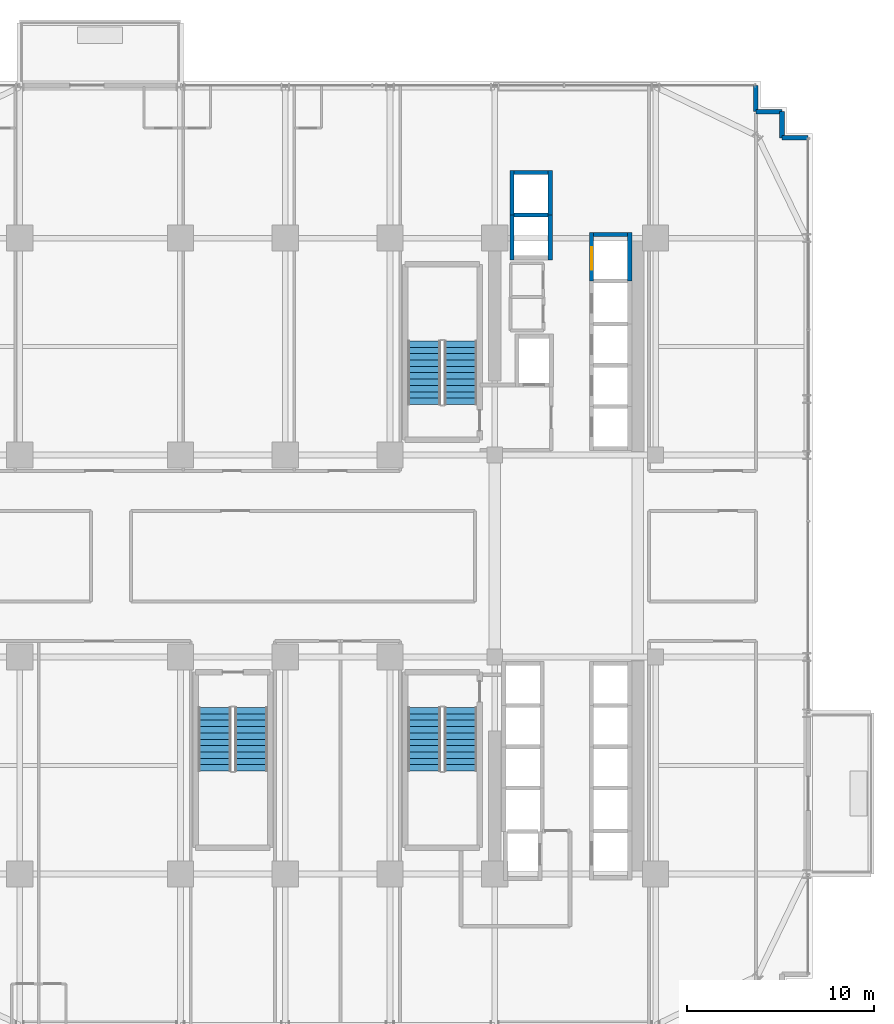
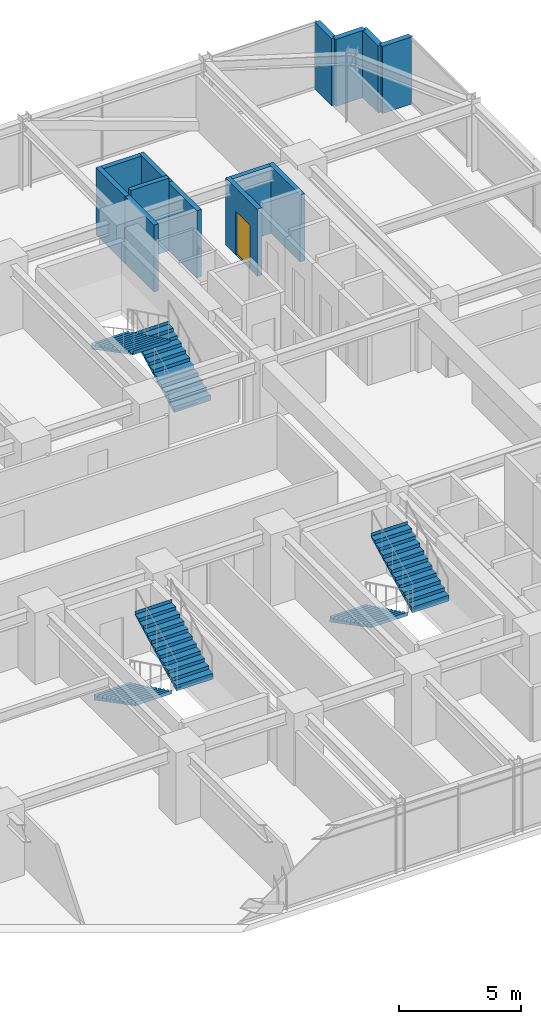
# One storey, part 32 of 35: 13 walls, 6 stair flights, 1 door, 1 opening, 3 elements without a shape of their own.
"""IFC4 building model written with IfcOpenShell, lengths in metres."""

from ifc_helpers import new_model, si_unit, direction, frame, frame_2d, origin, place, context, subcontext, project, spatial, polyline, rectangle, outline, extrude, source, transform, mapped, material, layer, layer_set, type_object, element, fill, aggregate, save


model = new_model("IFC4")

# Units and contexts
model_context = context("Model", 3, precision=1e-05, world=origin(), true_north=direction((0.0, 1.0)))
body_context = subcontext(model_context, "Body", "Model", "MODEL_VIEW")
ifc_project = project(units=[si_unit("LENGTHUNIT", "METRE"), si_unit("AREAUNIT", "SQUARE_METRE"), si_unit("VOLUMEUNIT", "CUBIC_METRE"), si_unit("PLANEANGLEUNIT", "RADIAN"), si_unit("MASSUNIT", "GRAM", prefix="KILO")], contexts=[model_context])

# Site, building, storey
site_placement = place(None, origin())
site = spatial("IfcSite", under=ifc_project, at=site_placement, CompositionType="ELEMENT")
building_placement = place(site_placement, origin())
building = spatial("IfcBuilding", under=site, at=building_placement, Name="Nahalor Promenade Grand Hotel", CompositionType="ELEMENT")
storey_placement = place(building_placement, frame((0.0, 0.0, 39.699951171875)))
storey = spatial("IfcBuildingStorey", under=building, at=storey_placement, Name="L08", CompositionType="ELEMENT", Elevation=39.699951171875)

# Walls
ifc_material_1 = material(Name="Concrete B-50 (C40/50)", Category="concrete")
ifc_layer_1 = layer(ifc_material_1, 0.219970703125)
ifc_layer_set_1 = layer_set([ifc_layer_1], Name="Concrete B-50 (C40/50)")
wall_type_1 = type_object("IfcWallType", Name="Wall-LiftShaft-220", PredefinedType="SHEAR", material=ifc_layer_set_1)
shared_shape_1 = source(origin(), body_context, "Body", "SweptSolid", [
    extrude(rectangle(XDim=1.820068359375, YDim=0.219970703125, at=frame_2d((0.91015625, 0.0))), origin(), (0.0, 0.0, 1.0), 3.3701171875),
])
for number, where, z_axis, x_axis, name in (
    (1, (9.43994140625, 20.5, 0.0), (0.0, 0.0, 1.0), (1.0, 0.0, 0.0), "L08 Lift OB2 Hoistway Wall N"),
    (2, (13.68994140625, 17.199951171875, 0.0), (0.0, 0.0, 1.0), (1.0, 0.0, 0.0), "L08 Lift SV1 Hoistway Wall N"),
):
    element("IfcWall", number, at=place(storey_placement, frame(where, z_axis=z_axis, x_axis=x_axis)), inside=storey, type_object=wall_type_1, Name=name, PredefinedType="SHEAR", context=body_context, shape_type="MappedRepresentation", body=[
        mapped(shared_shape_1, transform((0.0, 0.0, 0.0), scale=1.0)),
    ])
shared_shape_2 = source(origin(), body_context, "Body", "SweptSolid", [
    extrude(rectangle(XDim=1.820068359375, YDim=0.219970703125, at=frame_2d((0.91015625, 0.0))), origin(), (0.0, 0.0, 1.0), 3.650146484375),
])
wall_1_placement = place(storey_placement, frame((9.43994140625, 18.22509765625, 0.0), z_axis=(0.0, 0.0, 1.0), x_axis=(1.0, 0.0, 0.0)))
element("IfcWall", 3, at=wall_1_placement, inside=storey, type_object=wall_type_1, Name="L08 Lift OB1 Hoistway Wall N", PredefinedType="SHEAR", context=body_context, shape_type="MappedRepresentation", body=[
    mapped(shared_shape_2, transform((0.0, 0.0, 0.0), scale=1.0)),
])
shared_shape_3 = source(origin(), body_context, "Body", "SweptSolid", [
    extrude(rectangle(XDim=2.385009765625, YDim=0.219970703125, at=frame_2d((1.1923828125, 0.0))), origin(), (0.0, 0.0, 1.0), 3.3701171875),
])
for number, where, z_axis, x_axis, name in (
    (4, (9.330078125, 15.840087890625, 0.0), (0.0, 0.0, 1.0), (0.0, 1.0, 0.0), "L08 Lift OB1 Hoistway Wall W"),
    (5, (11.3701171875, 15.840087890625, 0.0), (0.0, 0.0, 1.0), (0.0, 1.0, 0.0), "L08 Lift OB1 Hoistway Wall E"),
    (6, (9.330078125, 18.22509765625, 0.0), (0.0, 0.0, 1.0), (0.0, 1.0, 0.0), "L08 Lift OB2 Hoistway Wall W"),
    (7, (11.3701171875, 18.22509765625, 0.0), (0.0, 0.0, 1.0), (0.0, 1.0, 0.0), "L08 Lift OB2 Hoistway Wall E"),
):
    element("IfcWall", number, at=place(storey_placement, frame(where, z_axis=z_axis, x_axis=x_axis)), inside=storey, type_object=wall_type_1, Name=name, PredefinedType="SHEAR", context=body_context, shape_type="MappedRepresentation", body=[
        mapped(shared_shape_3, transform((0.0, 0.0, 0.0), scale=1.0)),
    ])

# Wall, opening, door
shared_shape_4 = source(origin(), body_context, "Body", "SweptSolid", [
    extrude(rectangle(XDim=2.610107421875, YDim=0.219970703125, at=frame_2d((1.30517578125, 0.0))), origin(), (0.0, 0.0, 1.0), 3.3701171875),
])
wall_2_placement = place(storey_placement, frame((13.580078125, 14.699951171875, 0.0), z_axis=(0.0, 0.0, 1.0), x_axis=(0.0, 1.0, 0.0)))
wall_2 = element("IfcWall", 8, at=wall_2_placement, inside=storey, type_object=wall_type_1, Name="L08 Lift SV1 Hoistway Wall W", PredefinedType="SHEAR", context=body_context, shape_type="MappedRepresentation", body=[
    mapped(shared_shape_4, transform((0.0, 0.0, 0.0), scale=1.0)),
])
opening_placement = place(wall_2_placement, frame((0.60009765625, 0.0, 0.0)))
opening = element("IfcOpeningElement", 9, at=opening_placement, cuts=wall_2, Name="Opening LD-03", PredefinedType="OPENING", context=body_context, shape_type="SweptSolid", body=[
    extrude(rectangle(XDim=1.199951171875, YDim=2.199951171875, at=frame_2d((0.60009765625, 1.10009765625))), frame((0.0, 0.119873046875, 0.0), z_axis=(0.0, -1.0, 0.0), x_axis=(1.0, 0.0, 0.0)), (0.0, 0.0, 1.0), 0.239990234375),
])
ifc_material_2 = material(Name="Steel S355JR", Category="steel")
door_type = type_object("IfcDoorType", Name="Door-LiftService-1200", OperationType="DOUBLE_DOOR_SLIDING", PredefinedType="DOOR", material=ifc_material_2)
shared_shape_5 = source(origin(), body_context, "Body", "SweptSolid", [
    extrude(rectangle(XDim=1.199951171875, YDim=2.199951171875, at=frame_2d((0.60009765625, 1.10009765625))), frame((0.0, 0.02490234375, 0.0), z_axis=(0.0, -1.0, 0.0), x_axis=(1.0, 0.0, 0.0)), (0.0, 0.0, 1.0), 0.050048828125),
])
door_placement = place(opening_placement, origin())
door = element("IfcDoor", 10, at=door_placement, inside=storey, type_object=door_type, Name="DR-LIFT-SV1-L08", OperationType="DOUBLE_DOOR_SLIDING", OverallHeight=2.199951171875, OverallWidth=1.199951171875, PredefinedType="DOOR", context=body_context, shape_type="MappedRepresentation", body=[
    mapped(shared_shape_5, transform((0.0, 0.0, 0.0), scale=1.0)),
])
fill(opening, door)

# Walls
wall_3_placement = place(storey_placement, frame((15.6201171875, 14.699951171875, 0.0), z_axis=(0.0, 0.0, 1.0), x_axis=(0.0, 1.0, 0.0)))
element("IfcWall", 11, at=wall_3_placement, inside=storey, type_object=wall_type_1, Name="L08 Lift SV1 Hoistway Wall E", PredefinedType="SHEAR", context=body_context, shape_type="MappedRepresentation", body=[
    mapped(shared_shape_4, transform((0.0, 0.0, 0.0), scale=1.0)),
])
ifc_material_3 = material(Name="Concrete B-40 (C32/40)", Category="concrete")
ifc_layer_2 = layer(ifc_material_3, 0.25)
ifc_layer_set_2 = layer_set([ifc_layer_2], Name="Concrete B-40 (C32/40)")
wall_type_2 = type_object("IfcWallType", Name="Wall-BronzePier-250", PredefinedType="STANDARD", material=ifc_layer_set_2)
shared_shape_6 = source(origin(), body_context, "Body", "SweptSolid", [
    extrude(rectangle(XDim=1.39990234375, YDim=0.25, at=frame_2d((0.699951171875, 0.0))), origin(), (0.0, 0.0, 1.0), 3.3701171875),
])
for number, where, z_axis, x_axis, name in (
    (12, (23.760009765625, 22.360107421875, 0.0), (0.0, 0.0, 1.0), (1.0, 0.0, 0.0), "W-L08-SR-05"),
    (13, (23.760009765625, 22.360107421875, 0.0), (0.0, 0.0, 1.0), (0.0, 1.0, 0.0), "W-L08-SR-06"),
    (14, (22.360107421875, 23.760009765625, 0.0), (0.0, 0.0, 1.0), (1.0, 0.0, 0.0), "W-L08-SR-07"),
    (15, (22.360107421875, 23.760009765625, 0.0), (0.0, 0.0, 1.0), (0.0, 1.0, 0.0), "W-L08-SR-08"),
):
    element("IfcWall", number, at=place(storey_placement, frame(where, z_axis=z_axis, x_axis=x_axis)), inside=storey, type_object=wall_type_2, Name=name, PredefinedType="STANDARD", context=body_context, shape_type="MappedRepresentation", body=[
        mapped(shared_shape_6, transform((0.0, 0.0, 0.0), scale=1.0)),
    ])

# Stair, stair flights
stair_type_1 = type_object("IfcStairType", Name="Stair-ST1", PredefinedType="HALF_TURN_STAIR", material=ifc_material_1)
stair_1_placement = place(storey_placement, origin())
stair_1 = element("IfcStair", 16, at=stair_1_placement, inside=storey, type_object=stair_type_1, Name="L08 ST1", PredefinedType="HALF_TURN_STAIR")
ifc_layer_3 = layer(ifc_material_1, 0.179931640625)
ifc_layer_set_3 = layer_set([ifc_layer_3], Name="Concrete B-50 (C40/50)")
stair_flight_type_1 = type_object("IfcStairFlightType", Name="Flight-ST1", PredefinedType="STRAIGHT", material=ifc_layer_set_3)
shared_shape_7 = source(origin(), body_context, "Body", "SweptSolid", [
    extrude(outline(polyline([(-0.00390625, -0.1201171875), (-0.00390625, 0.0), (0.0, 0.0), (0.0, 0.166015625), (0.340087890625, 0.166015625), (0.340087890625, 0.331787109375), (0.679931640625, 0.331787109375), (0.679931640625, 0.497802734375), (1.02001953125, 0.497802734375), (1.02001953125, 0.66357421875), (1.360107421875, 0.66357421875), (1.360107421875, 0.82958984375), (1.699951171875, 0.82958984375), (1.699951171875, 0.995361328125), (2.0400390625, 0.995361328125), (2.0400390625, 1.161376953125), (2.3798828125, 1.161376953125), (2.3798828125, 1.327392578125), (2.719970703125, 1.327392578125), (2.719970703125, 1.4931640625), (3.06005859375, 1.4931640625), (3.06005859375, 1.6591796875), (3.39990234375, 1.6591796875), (3.39990234375, 1.824951171875), (3.404052734375, 1.824951171875), (3.404052734375, 1.64501953125), (0.02001953125, -0.1201171875), (-0.00390625, -0.1201171875)])), frame((0.0, 0.875, 0.0), z_axis=(0.0, -1.0, 0.0), x_axis=(1.0, 0.0, 0.0)), (0.0, 0.0, 1.0), 1.75),
])
stair_flight_1_placement = place(storey_placement, frame((6.574951171875, 8.10009765625, 0.0), z_axis=(0.0, 0.0, 1.0), x_axis=(0.0, 1.0, 0.0)))
stair_flight_1 = element("IfcStairFlight", 17, at=stair_flight_1_placement, type_object=stair_flight_type_1, Name="ST1 flight 1", NumberOfRisers=11, NumberOfTreads=10, PredefinedType="STRAIGHT", RiserHeight=0.165909091, TreadLength=0.34, context=body_context, shape_type="MappedRepresentation", body=[
    mapped(shared_shape_7, transform((0.0, 0.0, 0.0), scale=1.0)),
])
stair_flight_2_placement = place(storey_placement, frame((4.625, 11.5, 1.824951171875), z_axis=(0.0, 0.0, 1.0), x_axis=(0.0, -1.0, 0.0)))
stair_flight_2 = element("IfcStairFlight", 18, at=stair_flight_2_placement, type_object=stair_flight_type_1, Name="ST1 flight 2", NumberOfRisers=11, NumberOfTreads=10, PredefinedType="STRAIGHT", RiserHeight=0.165909091, TreadLength=0.34, context=body_context, shape_type="MappedRepresentation", body=[
    mapped(shared_shape_7, transform((0.0, 0.0, 0.0), scale=1.0)),
])
aggregate(stair_1, [stair_flight_1, stair_flight_2])

stair_type_2 = type_object("IfcStairType", Name="Stair-ST2", PredefinedType="HALF_TURN_STAIR", material=ifc_material_1)
stair_2_placement = place(storey_placement, origin())
stair_2 = element("IfcStair", 19, at=stair_2_placement, inside=storey, type_object=stair_type_2, Name="L08 ST2", PredefinedType="HALF_TURN_STAIR")
ifc_layer_4 = layer(ifc_material_1, 0.18994140625)
ifc_layer_set_4 = layer_set([ifc_layer_4], Name="Concrete B-50 (C40/50)")
stair_flight_type_2 = type_object("IfcStairFlightType", Name="Flight-ST2", PredefinedType="STRAIGHT", material=ifc_layer_set_4)
shared_shape_8 = source(origin(), body_context, "Body", "SweptSolid", [
    extrude(outline(polyline([(-0.00390625, -0.1201171875), (-0.00390625, 0.0), (0.0, 0.0), (0.0, 0.166015625), (0.340087890625, 0.166015625), (0.340087890625, 0.331787109375), (0.679931640625, 0.331787109375), (0.679931640625, 0.497802734375), (1.02001953125, 0.497802734375), (1.02001953125, 0.66357421875), (1.360107421875, 0.66357421875), (1.360107421875, 0.82958984375), (1.699951171875, 0.82958984375), (1.699951171875, 0.995361328125), (2.0400390625, 0.995361328125), (2.0400390625, 1.161376953125), (2.3798828125, 1.161376953125), (2.3798828125, 1.327392578125), (2.719970703125, 1.327392578125), (2.719970703125, 1.4931640625), (3.06005859375, 1.4931640625), (3.06005859375, 1.6591796875), (3.39990234375, 1.6591796875), (3.39990234375, 1.824951171875), (3.404052734375, 1.824951171875), (3.404052734375, 1.64501953125), (0.02001953125, -0.1201171875), (-0.00390625, -0.1201171875)])), frame((0.0, 0.875, 0.0), z_axis=(0.0, -1.0, 0.0), x_axis=(1.0, 0.0, 0.0)), (0.0, 0.0, 1.0), 1.75),
])
stair_flight_3_placement = place(storey_placement, frame((4.625, -8.10009765625, 0.0), z_axis=(0.0, 0.0, 1.0), x_axis=(0.0, -1.0, 0.0)))
stair_flight_3 = element("IfcStairFlight", 20, at=stair_flight_3_placement, type_object=stair_flight_type_2, Name="ST2 flight 1", NumberOfRisers=11, NumberOfTreads=10, PredefinedType="STRAIGHT", RiserHeight=0.165909091, TreadLength=0.34, context=body_context, shape_type="MappedRepresentation", body=[
    mapped(shared_shape_8, transform((0.0, 0.0, 0.0), scale=1.0)),
])
stair_flight_4_placement = place(storey_placement, frame((6.574951171875, -11.5, 1.824951171875), z_axis=(0.0, 0.0, 1.0), x_axis=(0.0, 1.0, 0.0)))
stair_flight_4 = element("IfcStairFlight", 21, at=stair_flight_4_placement, type_object=stair_flight_type_2, Name="ST2 flight 2", NumberOfRisers=11, NumberOfTreads=10, PredefinedType="STRAIGHT", RiserHeight=0.165909091, TreadLength=0.34, context=body_context, shape_type="MappedRepresentation", body=[
    mapped(shared_shape_8, transform((0.0, 0.0, 0.0), scale=1.0)),
])
aggregate(stair_2, [stair_flight_3, stair_flight_4])

stair_type_3 = type_object("IfcStairType", Name="Stair-ST3", PredefinedType="HALF_TURN_STAIR", material=ifc_material_1)
stair_3_placement = place(storey_placement, origin())
stair_3 = element("IfcStair", 22, at=stair_3_placement, inside=storey, type_object=stair_type_3, Name="L08 ST3", PredefinedType="HALF_TURN_STAIR")
ifc_layer_5 = layer(ifc_material_1, 0.199951171875)
ifc_layer_set_5 = layer_set([ifc_layer_5], Name="Concrete B-50 (C40/50)")
stair_flight_type_3 = type_object("IfcStairFlightType", Name="Flight-ST3", PredefinedType="STRAIGHT", material=ifc_layer_set_5)
shared_shape_9 = source(origin(), body_context, "Body", "SweptSolid", [
    extrude(outline(polyline([(-0.00390625, -0.1201171875), (-0.00390625, 0.0), (0.0, 0.0), (0.0, 0.166015625), (0.340087890625, 0.166015625), (0.340087890625, 0.331787109375), (0.679931640625, 0.331787109375), (0.679931640625, 0.497802734375), (1.02001953125, 0.497802734375), (1.02001953125, 0.66357421875), (1.360107421875, 0.66357421875), (1.360107421875, 0.82958984375), (1.699951171875, 0.82958984375), (1.699951171875, 0.995361328125), (2.0400390625, 0.995361328125), (2.0400390625, 1.161376953125), (2.3798828125, 1.161376953125), (2.3798828125, 1.327392578125), (2.719970703125, 1.327392578125), (2.719970703125, 1.4931640625), (3.06005859375, 1.4931640625), (3.06005859375, 1.6591796875), (3.39990234375, 1.6591796875), (3.39990234375, 1.824951171875), (3.404052734375, 1.824951171875), (3.404052734375, 1.64501953125), (0.02001953125, -0.1201171875), (-0.00390625, -0.1201171875)])), frame((0.0, 0.875, 0.0), z_axis=(0.0, -1.0, 0.0), x_axis=(1.0, 0.0, 0.0)), (0.0, 0.0, 1.0), 1.75),
])
stair_flight_5_placement = place(storey_placement, frame((-6.574951171875, -8.10009765625, 0.0), z_axis=(0.0, 0.0, 1.0), x_axis=(0.0, -1.0, 0.0)))
stair_flight_5 = element("IfcStairFlight", 23, at=stair_flight_5_placement, type_object=stair_flight_type_3, Name="ST3 flight 1", NumberOfRisers=11, NumberOfTreads=10, PredefinedType="STRAIGHT", RiserHeight=0.165909091, TreadLength=0.34, context=body_context, shape_type="MappedRepresentation", body=[
    mapped(shared_shape_9, transform((0.0, 0.0, 0.0), scale=1.0)),
])
stair_flight_6_placement = place(storey_placement, frame((-4.625, -11.5, 1.824951171875), z_axis=(0.0, 0.0, 1.0), x_axis=(0.0, 1.0, 0.0)))
stair_flight_6 = element("IfcStairFlight", 24, at=stair_flight_6_placement, type_object=stair_flight_type_3, Name="ST3 flight 2", NumberOfRisers=11, NumberOfTreads=10, PredefinedType="STRAIGHT", RiserHeight=0.165909091, TreadLength=0.34, context=body_context, shape_type="MappedRepresentation", body=[
    mapped(shared_shape_9, transform((0.0, 0.0, 0.0), scale=1.0)),
])
aggregate(stair_3, [stair_flight_5, stair_flight_6])

save(model, "model.ifc")
